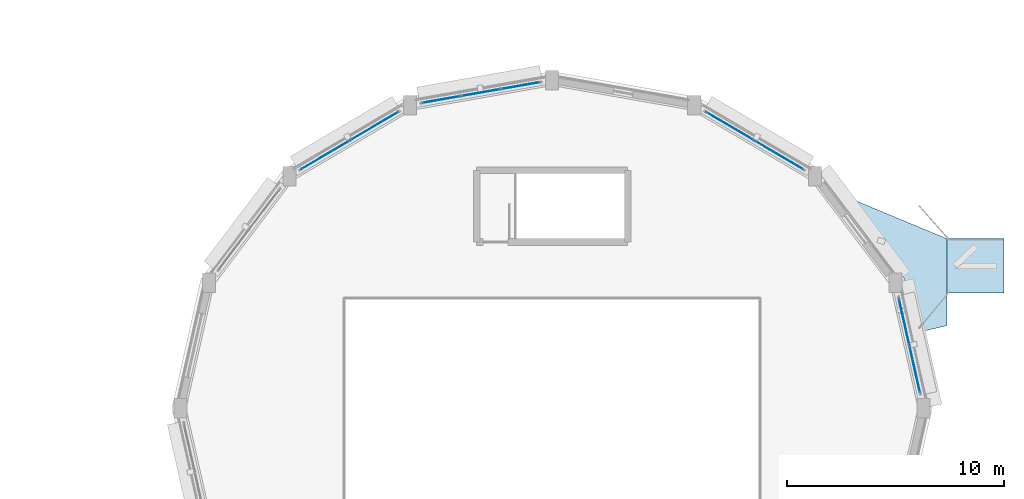
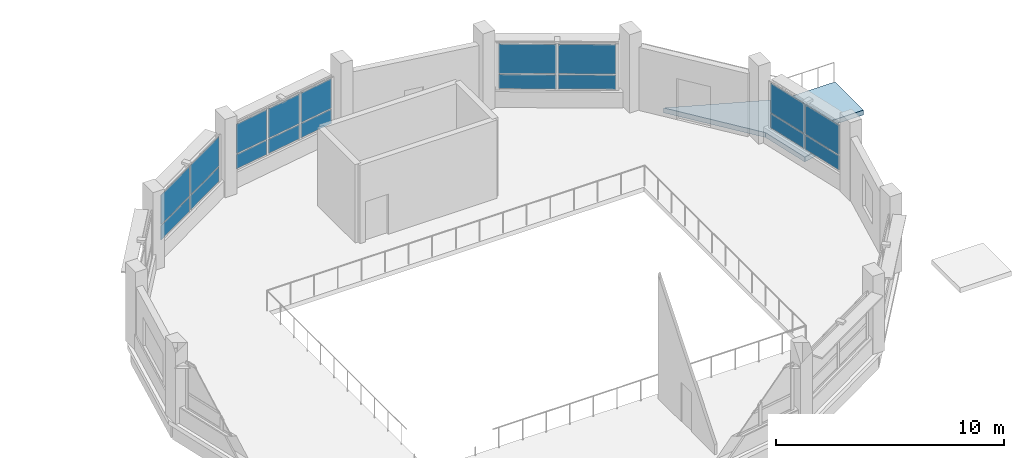
"""IFC4 building model written with IfcOpenShell, lengths in metres."""

from ifc_helpers import new_model, si_unit, direction, frame, origin, origin_2d, place, context, subcontext, project, spatial, polyline, rectangle, outline, extrude, material, layer, layer_set, type_object, element, aggregate, save


model = new_model("IFC4")

# Units and contexts
model_context = context("Model", 3, precision=1e-05, world=origin(), true_north=direction((0.0, 1.0)))
body_context = subcontext(model_context, "Body", "Model", "MODEL_VIEW")
ifc_project = project(units=[si_unit("LENGTHUNIT", "METRE"), si_unit("AREAUNIT", "SQUARE_METRE"), si_unit("VOLUMEUNIT", "CUBIC_METRE"), si_unit("PLANEANGLEUNIT", "RADIAN"), si_unit("MASSUNIT", "GRAM", prefix="KILO")], contexts=[model_context])

# Site, building, storey
site_placement = place(None, origin())
site = spatial("IfcSite", under=ifc_project, at=site_placement, CompositionType="ELEMENT")
building_placement = place(site_placement, origin())
building = spatial("IfcBuilding", under=site, at=building_placement, Name="Vespera Passage Community Centre", CompositionType="ELEMENT")
storey_1_placement = place(building_placement, frame((0.0, 0.0, 4.5)))
storey_1 = spatial("IfcBuildingStorey", under=building, at=storey_1_placement, Name="L01", CompositionType="ELEMENT", Elevation=4.5)

# Curtain wall, plates
ifc_material_1 = material(Name="Anodized aluminium 6063-T6", Category="aluminium")
ifc_layer_1 = layer(ifc_material_1, 0.159912109375)
ifc_layer_set_1 = layer_set([ifc_layer_1], Name="Anodized aluminium 6063-T6")
curtain_wall_type_1 = type_object("IfcCurtainWallType", Name="CW-93E", PredefinedType="NOTDEFINED", material=ifc_layer_set_1)
curtain_wall_1_placement = place(storey_1_placement, origin())
curtain_wall_1 = element("IfcCurtainWall", 1, at=curtain_wall_1_placement, inside=storey_1, type_object=curtain_wall_type_1, Name="Sports Drum Ribbon Curtain Wall L01.1", PredefinedType="NOTDEFINED")
ifc_material_2 = material(Name="Low-E insulated vision glass", Category="glass")
ifc_layer_2 = layer(ifc_material_2, 0.028076171875)
ifc_layer_set_2 = layer_set([ifc_layer_2], Name="Low-E insulated vision glass")
plate_type = type_object("IfcPlateType", Name="PL-CWP-28E", PredefinedType="CURTAIN_PANEL", material=ifc_layer_set_2)
plate_1_placement = place(storey_1_placement, frame((159.2021484375, 93.48583984375, 0.91015625), z_axis=(0.0, 0.0, 1.0), x_axis=(0.219762591846, -0.975553383073, 0.0)))
plate_1 = element("IfcPlate", 2, at=plate_1_placement, type_object=plate_type, Name="CW-93E panel 1.1", PredefinedType="CURTAIN_PANEL", context=body_context, shape_type="SweptSolid", body=[
    extrude(rectangle(XDim=2.1728515625, YDim=0.028076171875, at=origin_2d()), origin(), (0.0, 0.0, 1.0), 0.760009765625),
])
plate_2_placement = place(storey_1_placement, frame((159.2021484375, 93.48583984375, 1.72998046875), z_axis=(0.0, 0.0, 1.0), x_axis=(0.219762591846, -0.975553383073, 0.0)))
plate_2 = element("IfcPlate", 3, at=plate_2_placement, type_object=plate_type, Name="CW-93E panel 1.2", PredefinedType="CURTAIN_PANEL", context=body_context, shape_type="SweptSolid", body=[
    extrude(rectangle(XDim=2.1728515625, YDim=0.028076171875, at=origin_2d()), origin(), (0.0, 0.0, 1.0), 1.574951171875),
])
plate_3_placement = place(storey_1_placement, frame((159.696044921875, 91.292724609375, 0.91015625), z_axis=(0.0, 0.0, 1.0), x_axis=(0.219762591846, -0.975553383073, 0.0)))
plate_3 = element("IfcPlate", 4, at=plate_3_placement, type_object=plate_type, Name="CW-93E panel 2.1", PredefinedType="CURTAIN_PANEL", context=body_context, shape_type="SweptSolid", body=[
    extrude(rectangle(XDim=2.1728515625, YDim=0.028076171875, at=origin_2d()), origin(), (0.0, 0.0, 1.0), 0.760009765625),
])
plate_4_placement = place(storey_1_placement, frame((159.696044921875, 91.292724609375, 1.72998046875), z_axis=(0.0, 0.0, 1.0), x_axis=(0.219762591846, -0.975553383073, 0.0)))
plate_4 = element("IfcPlate", 5, at=plate_4_placement, type_object=plate_type, Name="CW-93E panel 2.2", PredefinedType="CURTAIN_PANEL", context=body_context, shape_type="SweptSolid", body=[
    extrude(rectangle(XDim=2.1728515625, YDim=0.028076171875, at=origin_2d()), origin(), (0.0, 0.0, 1.0), 1.574951171875),
])
aggregate(curtain_wall_1, [plate_1, plate_2, plate_3, plate_4])

ifc_material_3 = material(Name="Anodized aluminium 6063-T6", Category="aluminium")
ifc_layer_3 = layer(ifc_material_3, 0.159912109375)
ifc_layer_set_3 = layer_set([ifc_layer_3], Name="Anodized aluminium 6063-T6")
curtain_wall_type_2 = type_object("IfcCurtainWallType", Name="CW-94E", PredefinedType="NOTDEFINED", material=ifc_layer_set_3)
curtain_wall_2_placement = place(storey_1_placement, origin())
curtain_wall_2 = element("IfcCurtainWall", 6, at=curtain_wall_2_placement, inside=storey_1, type_object=curtain_wall_type_2, Name="Sports Drum Ribbon Curtain Wall L01.3", PredefinedType="NOTDEFINED")
plate_5_placement = place(storey_1_placement, frame((151.189453125, 102.4794921875, 0.91015625), z_axis=(0.0, 0.0, 1.0), x_axis=(0.861256740157, -0.50817007737, 0.0)))
plate_5 = element("IfcPlate", 7, at=plate_5_placement, type_object=plate_type, Name="CW-94E panel 1.1", PredefinedType="CURTAIN_PANEL", context=body_context, shape_type="SweptSolid", body=[
    extrude(rectangle(XDim=2.544677734375, YDim=0.028076171875, at=origin_2d()), origin(), (0.0, 0.0, 1.0), 0.760009765625),
])
plate_6_placement = place(storey_1_placement, frame((151.189453125, 102.4794921875, 1.72998046875), z_axis=(0.0, 0.0, 1.0), x_axis=(0.861256740157, -0.50817007737, 0.0)))
plate_6 = element("IfcPlate", 8, at=plate_6_placement, type_object=plate_type, Name="CW-94E panel 1.2", PredefinedType="CURTAIN_PANEL", context=body_context, shape_type="SweptSolid", body=[
    extrude(rectangle(XDim=2.544677734375, YDim=0.028076171875, at=origin_2d()), origin(), (0.0, 0.0, 1.0), 1.574951171875),
])
plate_7_placement = place(storey_1_placement, frame((153.44580078125, 101.148193359375, 0.91015625), z_axis=(0.0, 0.0, 1.0), x_axis=(0.861256740157, -0.50817007737, 0.0)))
plate_7 = element("IfcPlate", 9, at=plate_7_placement, type_object=plate_type, Name="CW-94E panel 2.1", PredefinedType="CURTAIN_PANEL", context=body_context, shape_type="SweptSolid", body=[
    extrude(rectangle(XDim=2.544677734375, YDim=0.028076171875, at=origin_2d()), origin(), (0.0, 0.0, 1.0), 0.760009765625),
])
plate_8_placement = place(storey_1_placement, frame((153.44580078125, 101.148193359375, 1.72998046875), z_axis=(0.0, 0.0, 1.0), x_axis=(0.861256740157, -0.50817007737, 0.0)))
plate_8 = element("IfcPlate", 10, at=plate_8_placement, type_object=plate_type, Name="CW-94E panel 2.2", PredefinedType="CURTAIN_PANEL", context=body_context, shape_type="SweptSolid", body=[
    extrude(rectangle(XDim=2.544677734375, YDim=0.028076171875, at=origin_2d()), origin(), (0.0, 0.0, 1.0), 1.574951171875),
])
aggregate(curtain_wall_2, [plate_5, plate_6, plate_7, plate_8])

ifc_material_4 = material(Name="Anodized aluminium 6063-T6", Category="aluminium")
ifc_layer_4 = layer(ifc_material_4, 0.159912109375)
ifc_layer_set_4 = layer_set([ifc_layer_4], Name="Anodized aluminium 6063-T6")
curtain_wall_type_3 = type_object("IfcCurtainWallType", Name="CW-95E", PredefinedType="NOTDEFINED", material=ifc_layer_set_4)
curtain_wall_3_placement = place(storey_1_placement, origin())
curtain_wall_3 = element("IfcCurtainWall", 11, at=curtain_wall_3_placement, inside=storey_1, type_object=curtain_wall_type_3, Name="Sports Drum Ribbon Curtain Wall L01.5", PredefinedType="NOTDEFINED")
plate_9_placement = place(storey_1_placement, frame((137.906494140625, 103.705322265625, 0.91015625), z_axis=(0.0, 0.0, 1.0), x_axis=(0.984922802731, 0.172994429562, 0.0)))
plate_9 = element("IfcPlate", 12, at=plate_9_placement, type_object=plate_type, Name="CW-95E panel 1.1", PredefinedType="CURTAIN_PANEL", context=body_context, shape_type="SweptSolid", body=[
    extrude(rectangle(XDim=1.755859375, YDim=0.028076171875, at=origin_2d()), origin(), (0.0, 0.0, 1.0), 0.760009765625),
])
plate_10_placement = place(storey_1_placement, frame((137.906494140625, 103.705322265625, 1.72998046875), z_axis=(0.0, 0.0, 1.0), x_axis=(0.984922802731, 0.172994429562, 0.0)))
plate_10 = element("IfcPlate", 13, at=plate_10_placement, type_object=plate_type, Name="CW-95E panel 1.2", PredefinedType="CURTAIN_PANEL", context=body_context, shape_type="SweptSolid", body=[
    extrude(rectangle(XDim=1.755859375, YDim=0.028076171875, at=origin_2d()), origin(), (0.0, 0.0, 1.0), 1.574951171875),
])
plate_11_placement = place(storey_1_placement, frame((139.72802734375, 104.025390625, 0.91015625), z_axis=(0.0, 0.0, 1.0), x_axis=(0.984922802731, 0.172994429562, 0.0)))
plate_11 = element("IfcPlate", 14, at=plate_11_placement, type_object=plate_type, Name="CW-95E panel 2.1", PredefinedType="CURTAIN_PANEL", context=body_context, shape_type="SweptSolid", body=[
    extrude(rectangle(XDim=1.793212890625, YDim=0.028076171875, at=origin_2d()), origin(), (0.0, 0.0, 1.0), 0.760009765625),
])
plate_12_placement = place(storey_1_placement, frame((139.72802734375, 104.025390625, 1.72998046875), z_axis=(0.0, 0.0, 1.0), x_axis=(0.984922802731, 0.172994429562, 0.0)))
plate_12 = element("IfcPlate", 15, at=plate_12_placement, type_object=plate_type, Name="CW-95E panel 2.2", PredefinedType="CURTAIN_PANEL", context=body_context, shape_type="SweptSolid", body=[
    extrude(rectangle(XDim=1.793212890625, YDim=0.028076171875, at=origin_2d()), origin(), (0.0, 0.0, 1.0), 1.574951171875),
])
plate_13_placement = place(storey_1_placement, frame((141.5498046875, 104.34521484375, 0.91015625), z_axis=(0.0, 0.0, 1.0), x_axis=(0.984922802731, 0.172994429562, 0.0)))
plate_13 = element("IfcPlate", 16, at=plate_13_placement, type_object=plate_type, Name="CW-95E panel 3.1", PredefinedType="CURTAIN_PANEL", context=body_context, shape_type="SweptSolid", body=[
    extrude(rectangle(XDim=1.755859375, YDim=0.028076171875, at=origin_2d()), origin(), (0.0, 0.0, 1.0), 0.760009765625),
])
plate_14_placement = place(storey_1_placement, frame((141.5498046875, 104.34521484375, 1.72998046875), z_axis=(0.0, 0.0, 1.0), x_axis=(0.984922802731, 0.172994429562, 0.0)))
plate_14 = element("IfcPlate", 17, at=plate_14_placement, type_object=plate_type, Name="CW-95E panel 3.2", PredefinedType="CURTAIN_PANEL", context=body_context, shape_type="SweptSolid", body=[
    extrude(rectangle(XDim=1.755859375, YDim=0.028076171875, at=origin_2d()), origin(), (0.0, 0.0, 1.0), 1.574951171875),
])
aggregate(curtain_wall_3, [plate_9, plate_10, plate_11, plate_12, plate_13, plate_14])

curtain_wall_4_placement = place(storey_1_placement, origin())
curtain_wall_4 = element("IfcCurtainWall", 18, at=curtain_wall_4_placement, inside=storey_1, type_object=curtain_wall_type_2, Name="Sports Drum Ribbon Curtain Wall L01.6", PredefinedType="NOTDEFINED")
plate_15_placement = place(storey_1_placement, frame((132.55419921875, 101.148193359375, 0.91015625), z_axis=(0.0, 0.0, 1.0), x_axis=(0.861256740157, 0.50817007737, 0.0)))
plate_15 = element("IfcPlate", 19, at=plate_15_placement, type_object=plate_type, Name="CW-94E panel 1.1", PredefinedType="CURTAIN_PANEL", context=body_context, shape_type="SweptSolid", body=[
    extrude(rectangle(XDim=2.544677734375, YDim=0.028076171875, at=origin_2d()), origin(), (0.0, 0.0, 1.0), 0.760009765625),
])
plate_16_placement = place(storey_1_placement, frame((132.55419921875, 101.148193359375, 1.72998046875), z_axis=(0.0, 0.0, 1.0), x_axis=(0.861256740157, 0.50817007737, 0.0)))
plate_16 = element("IfcPlate", 20, at=plate_16_placement, type_object=plate_type, Name="CW-94E panel 1.2", PredefinedType="CURTAIN_PANEL", context=body_context, shape_type="SweptSolid", body=[
    extrude(rectangle(XDim=2.544677734375, YDim=0.028076171875, at=origin_2d()), origin(), (0.0, 0.0, 1.0), 1.574951171875),
])
plate_17_placement = place(storey_1_placement, frame((134.810546875, 102.4794921875, 0.91015625), z_axis=(0.0, 0.0, 1.0), x_axis=(0.861256740157, 0.50817007737, 0.0)))
plate_17 = element("IfcPlate", 21, at=plate_17_placement, type_object=plate_type, Name="CW-94E panel 2.1", PredefinedType="CURTAIN_PANEL", context=body_context, shape_type="SweptSolid", body=[
    extrude(rectangle(XDim=2.544677734375, YDim=0.028076171875, at=origin_2d()), origin(), (0.0, 0.0, 1.0), 0.760009765625),
])
plate_18_placement = place(storey_1_placement, frame((134.810546875, 102.4794921875, 1.72998046875), z_axis=(0.0, 0.0, 1.0), x_axis=(0.861256740157, 0.50817007737, 0.0)))
plate_18 = element("IfcPlate", 22, at=plate_18_placement, type_object=plate_type, Name="CW-94E panel 2.2", PredefinedType="CURTAIN_PANEL", context=body_context, shape_type="SweptSolid", body=[
    extrude(rectangle(XDim=2.544677734375, YDim=0.028076171875, at=origin_2d()), origin(), (0.0, 0.0, 1.0), 1.574951171875),
])
aggregate(curtain_wall_4, [plate_15, plate_16, plate_17, plate_18])

# Storey
storey_2_placement = place(building_placement, origin())
storey_2 = spatial("IfcBuildingStorey", under=building, at=storey_2_placement, Name="L00", CompositionType="ELEMENT", Elevation=0.0)

# Ramp, slab
ifc_material_5 = material(Name="Concrete f'c 35 MPa", Category="concrete")
ramp_type = type_object("IfcRampType", Name="RMP-BRIDGE", PredefinedType="STRAIGHT_RUN_RAMP", material=ifc_material_5)
ramp_placement = place(storey_2_placement, origin())
ramp = element("IfcRamp", 23, at=ramp_placement, inside=storey_2, type_object=ramp_type, Name="East Court Ramped Garden Bridge RB1", PredefinedType="STRAIGHT_RUN_RAMP")
ifc_material_6 = material(Name="Concrete f'c 35 MPa", Category="concrete")
ifc_layer_5 = layer(ifc_material_6, 0.260009765625)
ifc_layer_set_5 = layer_set([ifc_layer_5], Name="Concrete f'c 35 MPa")
slab_type = type_object("IfcSlabType", Name="SL-RLAND-260E", PredefinedType="LANDING", material=ifc_layer_set_5)
slab_1_placement = place(storey_1_placement, frame((0.0, 0.0, -0.260009765625)))
slab_1 = element("IfcSlab", 24, at=slab_1_placement, inside=storey_1, type_object=slab_type, Name="Ramped Garden Bridge Landing 7", PredefinedType="LANDING", context=body_context, shape_type="SweptSolid", body=[
    extrude(outline(polyline([(161.199951171875, 94.800048828125), (163.800048828125, 94.800048828125), (163.800048828125, 97.300048828125), (161.199951171875, 97.300048828125), (161.199951171875, 94.800048828125)])), origin(), (0.0, 0.0, 1.0), 0.260009765625),
])
aggregate(ramp, [slab_1])

# Slab
slab_2_placement = place(storey_1_placement, frame((0.0, 0.0, -0.260009765625)))
element("IfcSlab", 25, at=slab_2_placement, inside=storey_1, type_object=slab_type, Name="Garden Bridge Upper Link Deck at Movement Joint MJ-01", PredefinedType="LANDING", context=body_context, shape_type="SweptSolid", body=[
    extrude(outline(polyline([(161.179931640625, 97.300048828125), (161.179931640625, 93.300048828125), (159.77197265625, 92.969970703125), (159.21435546875, 95.453125), (156.28125, 99.34130859375), (161.179931640625, 97.300048828125)])), origin(), (0.0, 0.0, 1.0), 0.260009765625),
])

save(model, "model.ifc")
